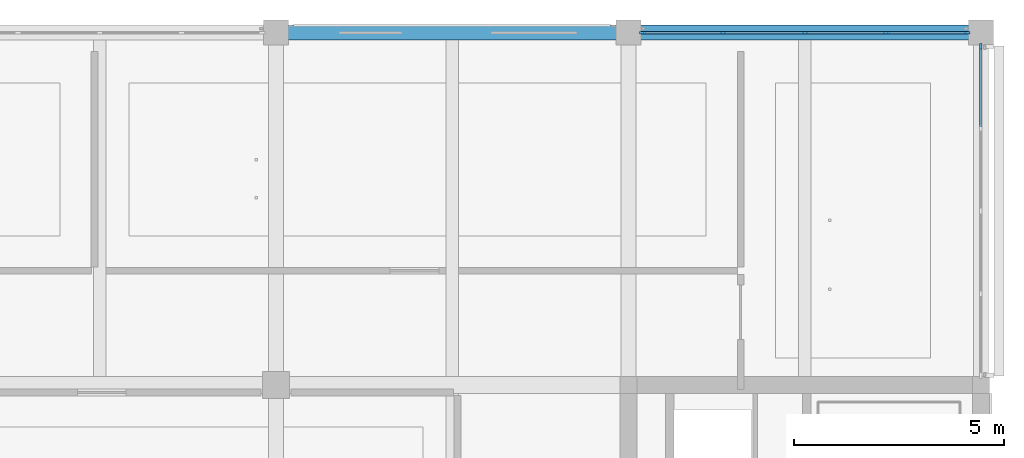
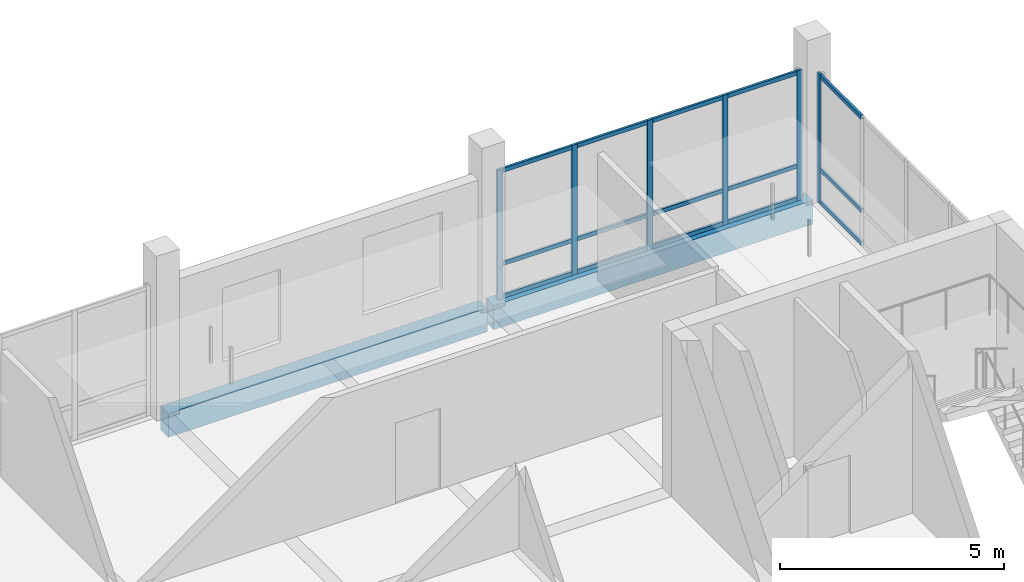
# One storey, part 9 of 30: 21 members, 2 beams, 2 elements without a shape of their own.
"""IFC4 building model written with IfcOpenShell, lengths in metres."""

from ifc_helpers import new_model, si_unit, direction, frame, origin, origin_2d, place, context, subcontext, project, spatial, rectangle, extrude, material, layer, layer_set, material_profile, profile_set, type_object, element, aggregate, save


model = new_model("IFC4")

# Units and contexts
model_context = context("Model", 3, precision=1e-05, world=origin(), true_north=direction((0.0, 1.0)))
body_context = subcontext(model_context, "Body", "Model", "MODEL_VIEW")
ifc_project = project(units=[si_unit("LENGTHUNIT", "METRE"), si_unit("AREAUNIT", "SQUARE_METRE"), si_unit("VOLUMEUNIT", "CUBIC_METRE"), si_unit("PLANEANGLEUNIT", "RADIAN"), si_unit("MASSUNIT", "GRAM", prefix="KILO")], contexts=[model_context])

# Site, building, storey
site_placement = place(None, origin())
site = spatial("IfcSite", under=ifc_project, at=site_placement, CompositionType="ELEMENT")
building_placement = place(site_placement, origin())
building = spatial("IfcBuilding", under=site, at=building_placement, Name="Telukmera Botanical Conservatory", CompositionType="ELEMENT")
storey_placement = place(building_placement, frame((0.0, 0.0, 60.0)))
storey = spatial("IfcBuildingStorey", under=building, at=storey_placement, Name="L13", CompositionType="ELEMENT", Elevation=60.0)

# Beams
ifc_material_1 = material(Name="Precast concrete C40/50", Category="concrete")
ifc_material_profile_1 = material_profile(ifc_material_1, rectangle(XDim=0.35009765625, YDim=0.64990234375, at=origin_2d()), Name="PC 350x650")
ifc_profile_set_1 = profile_set([ifc_material_profile_1], Name="Precast concrete C40/50")
beam_type = type_object("IfcBeamType", Name="Beam_SP3", PredefinedType="SPANDREL", material=ifc_profile_set_1)
for number, where, z_axis, x_axis, name in (
    (1, (84.080078125, 42.800048828125, -0.324951171875), (1.0, 0.0, 0.0), (0.0, 1.0, 0.0), "Tower Grid Beam L13"),
    (2, (92.47998046875, 42.800048828125, -0.324951171875), (1.0, 0.0, 0.0), (0.0, 1.0, 0.0), "Tower Grid Beam L13"),
):
    element("IfcBeam", number, at=place(storey_placement, frame(where, z_axis=z_axis, x_axis=x_axis)), inside=storey, type_object=beam_type, Name=name, PredefinedType="SPANDREL", context=body_context, shape_type="SweptSolid", body=[
        extrude(rectangle(XDim=0.35009765625, YDim=0.64990234375, at=origin_2d()), origin(), (0.0, 0.0, 1.0), 8.239990234375),
    ])

# Curtain wall, members
ifc_material_2 = material(Name="Anodised aluminium 6063-T6", Category="aluminium")
ifc_layer = layer(ifc_material_2, 0.179931640625)
ifc_layer_set = layer_set([ifc_layer], Name="Anodised aluminium 6063-T6")
curtain_wall_type = type_object("IfcCurtainWallType", Name="Tower Research Laboratory Unitised Curtain Wall", PredefinedType="USERDEFINED", material=ifc_layer_set)
curtain_wall_1_placement = place(storey_placement, origin())
curtain_wall_1 = element("IfcCurtainWall", 3, at=curtain_wall_1_placement, inside=storey, type_object=curtain_wall_type, Name="Unitised Curtain Wall CW15 V4:L13:N5", ObjectType="UNITISED CURTAIN WALL", PredefinedType="USERDEFINED")
ifc_material_profile_2 = material_profile(ifc_material_2, rectangle(XDim=0.06005859375, YDim=0.139892578125, at=origin_2d()), Name="ALU MULL 60x140")
ifc_profile_set_2 = profile_set([ifc_material_profile_2], Name="Anodised aluminium 6063-T6")
member_type_1 = type_object("IfcMemberType", Name="Curtain Wall Extruded Mullion 60x140", PredefinedType="MULLION", material=ifc_profile_set_2)
member_1_placement = place(storey_placement, frame((92.73193359375, 42.800048828125, 0.0), z_axis=(0.0, 0.0, 1.0), x_axis=(0.0, 1.0, 0.0)))
member_1 = element("IfcMember", 4, at=member_1_placement, type_object=member_type_1, Name="CW15 mullion 1", PredefinedType="MULLION", context=body_context, shape_type="SweptSolid", body=[
    extrude(rectangle(XDim=0.06005859375, YDim=0.139892578125, at=origin_2d()), origin(), (0.0, 0.0, 1.0), 3.550048828125),
])
member_2_placement = place(storey_placement, frame((94.65087890625, 42.800048828125, 0.0), z_axis=(0.0, 0.0, 1.0), x_axis=(0.0, 1.0, 0.0)))
member_2 = element("IfcMember", 5, at=member_2_placement, type_object=member_type_1, Name="CW15 mullion 2", PredefinedType="MULLION", context=body_context, shape_type="SweptSolid", body=[
    extrude(rectangle(XDim=0.06005859375, YDim=0.139892578125, at=origin_2d()), origin(), (0.0, 0.0, 1.0), 3.550048828125),
])
member_3_placement = place(storey_placement, frame((96.60009765625, 42.800048828125, 0.0), z_axis=(0.0, 0.0, 1.0), x_axis=(0.0, 1.0, 0.0)))
member_3 = element("IfcMember", 6, at=member_3_placement, type_object=member_type_1, Name="CW15 mullion 3", PredefinedType="MULLION", context=body_context, shape_type="SweptSolid", body=[
    extrude(rectangle(XDim=0.06005859375, YDim=0.139892578125, at=origin_2d()), origin(), (0.0, 0.0, 1.0), 3.550048828125),
])
member_4_placement = place(storey_placement, frame((98.549072265625, 42.800048828125, 0.0), z_axis=(0.0, 0.0, 1.0), x_axis=(0.0, 1.0, 0.0)))
member_4 = element("IfcMember", 7, at=member_4_placement, type_object=member_type_1, Name="CW15 mullion 4", PredefinedType="MULLION", context=body_context, shape_type="SweptSolid", body=[
    extrude(rectangle(XDim=0.06005859375, YDim=0.139892578125, at=origin_2d()), origin(), (0.0, 0.0, 1.0), 3.550048828125),
])
member_5_placement = place(storey_placement, frame((100.468017578125, 42.800048828125, 0.0), z_axis=(0.0, 0.0, 1.0), x_axis=(0.0, 1.0, 0.0)))
member_5 = element("IfcMember", 8, at=member_5_placement, type_object=member_type_1, Name="CW15 mullion 5", PredefinedType="MULLION", context=body_context, shape_type="SweptSolid", body=[
    extrude(rectangle(XDim=0.06005859375, YDim=0.139892578125, at=origin_2d()), origin(), (0.0, 0.0, 1.0), 3.550048828125),
])

# Curtain wall, member
curtain_wall_2_placement = place(storey_placement, origin())
curtain_wall_2 = element("IfcCurtainWall", 9, at=curtain_wall_2_placement, inside=storey, type_object=curtain_wall_type, Name="Unitised Curtain Wall CW15 V4:L13:E4", ObjectType="UNITISED CURTAIN WALL", PredefinedType="USERDEFINED")
member_6_placement = place(storey_placement, frame((100.800048828125, 42.468017578125, 0.0), z_axis=(0.0, 0.0, 1.0), x_axis=(-1.0, 0.0, 0.0)))
member_6 = element("IfcMember", 10, at=member_6_placement, type_object=member_type_1, Name="CW15 mullion 5", PredefinedType="MULLION", context=body_context, shape_type="SweptSolid", body=[
    extrude(rectangle(XDim=0.06005859375, YDim=0.139892578125, at=origin_2d()), origin(), (0.0, 0.0, 1.0), 3.550048828125),
])

# Member
ifc_material_profile_3 = material_profile(ifc_material_2, rectangle(XDim=0.06005859375, YDim=0.110107421875, at=origin_2d()), Name="ALU TRAN 60x110")
ifc_profile_set_3 = profile_set([ifc_material_profile_3], Name="Anodised aluminium 6063-T6")
member_type_2 = type_object("IfcMemberType", Name="Curtain Wall Extruded Transom 60x110", PredefinedType="USERDEFINED", material=ifc_profile_set_3)
member_7_placement = place(storey_placement, frame((92.761962890625, 42.800048828125, 0.054931640625), z_axis=(1.0, 0.0, 0.0), x_axis=(0.0, 1.0, 0.0)))
member_7 = element("IfcMember", 11, at=member_7_placement, type_object=member_type_2, Name="CW15 transom 1.1", ObjectType="TRANSOM", PredefinedType="USERDEFINED", context=body_context, shape_type="SweptSolid", body=[
    extrude(rectangle(XDim=0.06005859375, YDim=0.110107421875, at=origin_2d()), origin(), (0.0, 0.0, 1.0), 1.859130859375),
])

member_8_placement = place(storey_placement, frame((92.761962890625, 42.800048828125, 0.949951171875), z_axis=(1.0, 0.0, 0.0), x_axis=(0.0, 1.0, 0.0)))
member_8 = element("IfcMember", 12, at=member_8_placement, type_object=member_type_2, Name="CW15 transom 1.2", ObjectType="TRANSOM", PredefinedType="USERDEFINED", context=body_context, shape_type="SweptSolid", body=[
    extrude(rectangle(XDim=0.06005859375, YDim=0.110107421875, at=origin_2d()), origin(), (0.0, 0.0, 1.0), 1.859130859375),
])

member_9_placement = place(storey_placement, frame((92.761962890625, 42.800048828125, 3.4951171875), z_axis=(1.0, 0.0, 0.0), x_axis=(0.0, 1.0, 0.0)))
member_9 = element("IfcMember", 13, at=member_9_placement, type_object=member_type_2, Name="CW15 transom 1.3", ObjectType="TRANSOM", PredefinedType="USERDEFINED", context=body_context, shape_type="SweptSolid", body=[
    extrude(rectangle(XDim=0.06005859375, YDim=0.110107421875, at=origin_2d()), origin(), (0.0, 0.0, 1.0), 1.859130859375),
])

member_10_placement = place(storey_placement, frame((94.680908203125, 42.800048828125, 0.054931640625), z_axis=(1.0, 0.0, 0.0), x_axis=(0.0, 1.0, 0.0)))
member_10 = element("IfcMember", 14, at=member_10_placement, type_object=member_type_2, Name="CW15 transom 2.1", ObjectType="TRANSOM", PredefinedType="USERDEFINED", context=body_context, shape_type="SweptSolid", body=[
    extrude(rectangle(XDim=0.06005859375, YDim=0.110107421875, at=origin_2d()), origin(), (0.0, 0.0, 1.0), 1.88916015625),
])

member_11_placement = place(storey_placement, frame((94.680908203125, 42.800048828125, 0.949951171875), z_axis=(1.0, 0.0, 0.0), x_axis=(0.0, 1.0, 0.0)))
member_11 = element("IfcMember", 15, at=member_11_placement, type_object=member_type_2, Name="CW15 transom 2.2", ObjectType="TRANSOM", PredefinedType="USERDEFINED", context=body_context, shape_type="SweptSolid", body=[
    extrude(rectangle(XDim=0.06005859375, YDim=0.110107421875, at=origin_2d()), origin(), (0.0, 0.0, 1.0), 1.88916015625),
])

member_12_placement = place(storey_placement, frame((94.680908203125, 42.800048828125, 3.4951171875), z_axis=(1.0, 0.0, 0.0), x_axis=(0.0, 1.0, 0.0)))
member_12 = element("IfcMember", 16, at=member_12_placement, type_object=member_type_2, Name="CW15 transom 2.3", ObjectType="TRANSOM", PredefinedType="USERDEFINED", context=body_context, shape_type="SweptSolid", body=[
    extrude(rectangle(XDim=0.06005859375, YDim=0.110107421875, at=origin_2d()), origin(), (0.0, 0.0, 1.0), 1.88916015625),
])

member_13_placement = place(storey_placement, frame((96.6298828125, 42.800048828125, 0.054931640625), z_axis=(1.0, 0.0, 0.0), x_axis=(0.0, 1.0, 0.0)))
member_13 = element("IfcMember", 17, at=member_13_placement, type_object=member_type_2, Name="CW15 transom 3.1", ObjectType="TRANSOM", PredefinedType="USERDEFINED", context=body_context, shape_type="SweptSolid", body=[
    extrude(rectangle(XDim=0.06005859375, YDim=0.110107421875, at=origin_2d()), origin(), (0.0, 0.0, 1.0), 1.88916015625),
])

member_14_placement = place(storey_placement, frame((96.6298828125, 42.800048828125, 0.949951171875), z_axis=(1.0, 0.0, 0.0), x_axis=(0.0, 1.0, 0.0)))
member_14 = element("IfcMember", 18, at=member_14_placement, type_object=member_type_2, Name="CW15 transom 3.2", ObjectType="TRANSOM", PredefinedType="USERDEFINED", context=body_context, shape_type="SweptSolid", body=[
    extrude(rectangle(XDim=0.06005859375, YDim=0.110107421875, at=origin_2d()), origin(), (0.0, 0.0, 1.0), 1.88916015625),
])

member_15_placement = place(storey_placement, frame((96.6298828125, 42.800048828125, 3.4951171875), z_axis=(1.0, 0.0, 0.0), x_axis=(0.0, 1.0, 0.0)))
member_15 = element("IfcMember", 19, at=member_15_placement, type_object=member_type_2, Name="CW15 transom 3.3", ObjectType="TRANSOM", PredefinedType="USERDEFINED", context=body_context, shape_type="SweptSolid", body=[
    extrude(rectangle(XDim=0.06005859375, YDim=0.110107421875, at=origin_2d()), origin(), (0.0, 0.0, 1.0), 1.88916015625),
])

member_16_placement = place(storey_placement, frame((98.5791015625, 42.800048828125, 0.054931640625), z_axis=(1.0, 0.0, 0.0), x_axis=(0.0, 1.0, 0.0)))
member_16 = element("IfcMember", 20, at=member_16_placement, type_object=member_type_2, Name="CW15 transom 4.1", ObjectType="TRANSOM", PredefinedType="USERDEFINED", context=body_context, shape_type="SweptSolid", body=[
    extrude(rectangle(XDim=0.06005859375, YDim=0.110107421875, at=origin_2d()), origin(), (0.0, 0.0, 1.0), 1.85888671875),
])

member_17_placement = place(storey_placement, frame((98.5791015625, 42.800048828125, 0.949951171875), z_axis=(1.0, 0.0, 0.0), x_axis=(0.0, 1.0, 0.0)))
member_17 = element("IfcMember", 21, at=member_17_placement, type_object=member_type_2, Name="CW15 transom 4.2", ObjectType="TRANSOM", PredefinedType="USERDEFINED", context=body_context, shape_type="SweptSolid", body=[
    extrude(rectangle(XDim=0.06005859375, YDim=0.110107421875, at=origin_2d()), origin(), (0.0, 0.0, 1.0), 1.85888671875),
])

member_18_placement = place(storey_placement, frame((98.5791015625, 42.800048828125, 3.4951171875), z_axis=(1.0, 0.0, 0.0), x_axis=(0.0, 1.0, 0.0)))
member_18 = element("IfcMember", 22, at=member_18_placement, type_object=member_type_2, Name="CW15 transom 4.3", ObjectType="TRANSOM", PredefinedType="USERDEFINED", context=body_context, shape_type="SweptSolid", body=[
    extrude(rectangle(XDim=0.06005859375, YDim=0.110107421875, at=origin_2d()), origin(), (0.0, 0.0, 1.0), 1.85888671875),
])

aggregate(curtain_wall_1, [member_1, member_2, member_3, member_4, member_5, member_7, member_8, member_9, member_10, member_11, member_12, member_13, member_14, member_15, member_16, member_17, member_18])

member_19_placement = place(storey_placement, frame((100.800048828125, 40.553955078125, 0.054931640625), z_axis=(0.0, 1.0, 0.0), x_axis=(-1.0, 0.0, 0.0)))
member_19 = element("IfcMember", 23, at=member_19_placement, type_object=member_type_2, Name="CW15 transom 4.1", ObjectType="TRANSOM", PredefinedType="USERDEFINED", context=body_context, shape_type="SweptSolid", body=[
    extrude(rectangle(XDim=0.06005859375, YDim=0.110107421875, at=origin_2d()), origin(), (0.0, 0.0, 1.0), 1.884033203125),
])

member_20_placement = place(storey_placement, frame((100.800048828125, 40.553955078125, 0.949951171875), z_axis=(0.0, 1.0, 0.0), x_axis=(-1.0, 0.0, 0.0)))
member_20 = element("IfcMember", 24, at=member_20_placement, type_object=member_type_2, Name="CW15 transom 4.2", ObjectType="TRANSOM", PredefinedType="USERDEFINED", context=body_context, shape_type="SweptSolid", body=[
    extrude(rectangle(XDim=0.06005859375, YDim=0.110107421875, at=origin_2d()), origin(), (0.0, 0.0, 1.0), 1.884033203125),
])

member_21_placement = place(storey_placement, frame((100.800048828125, 40.553955078125, 3.4951171875), z_axis=(0.0, 1.0, 0.0), x_axis=(-1.0, 0.0, 0.0)))
member_21 = element("IfcMember", 25, at=member_21_placement, type_object=member_type_2, Name="CW15 transom 4.3", ObjectType="TRANSOM", PredefinedType="USERDEFINED", context=body_context, shape_type="SweptSolid", body=[
    extrude(rectangle(XDim=0.06005859375, YDim=0.110107421875, at=origin_2d()), origin(), (0.0, 0.0, 1.0), 1.884033203125),
])

aggregate(curtain_wall_2, [member_6, member_19, member_20, member_21])

save(model, "model.ifc")
